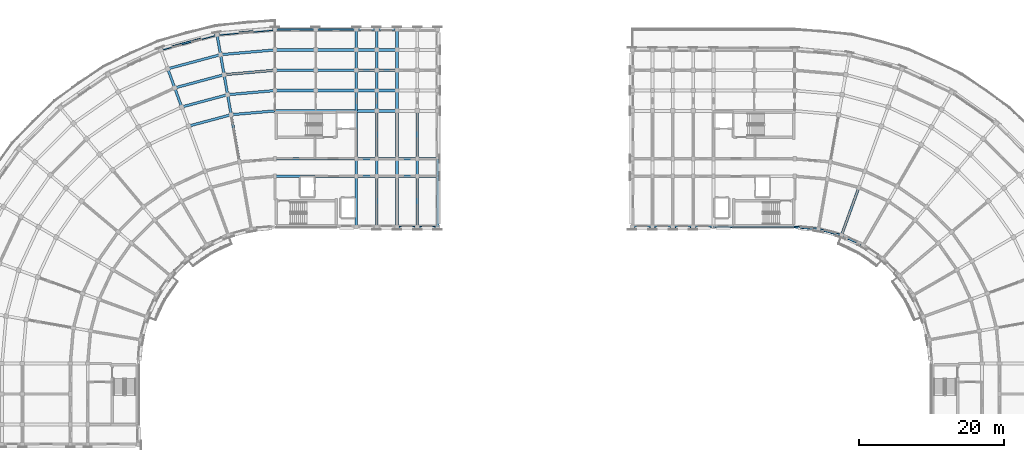
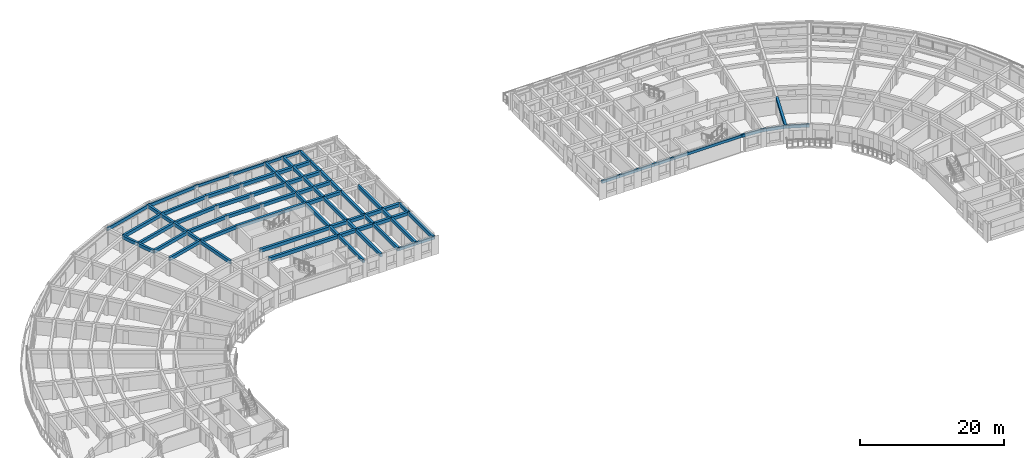
# One storey, part 7 of 53: 83 beams.
"""IFC4 building model written with IfcOpenShell, lengths in metres."""

from ifc_helpers import new_model, si_unit, direction, frame, origin, origin_2d, place, context, subcontext, project, spatial, rectangle, extrude, material, material_profile, profile_set, type_object, element, save


model = new_model("IFC4")

# Units and contexts
model_context = context("Model", 3, precision=1e-05, world=origin(), true_north=direction((0.0, 1.0)))
body_context = subcontext(model_context, "Body", "Model", "MODEL_VIEW")
ifc_project = project(units=[si_unit("LENGTHUNIT", "METRE"), si_unit("AREAUNIT", "SQUARE_METRE"), si_unit("VOLUMEUNIT", "CUBIC_METRE"), si_unit("PLANEANGLEUNIT", "RADIAN"), si_unit("MASSUNIT", "GRAM", prefix="KILO")], contexts=[model_context])

# Site, building, storey
site_placement = place(None, origin())
site = spatial("IfcSite", under=ifc_project, at=site_placement, CompositionType="ELEMENT")
building_placement = place(site_placement, origin())
building = spatial("IfcBuilding", under=site, at=building_placement, Name="Kiranvali Square Residences", CompositionType="ELEMENT")
storey_placement = place(building_placement, frame((0.0, 0.0, 30.75)))
storey = spatial("IfcBuildingStorey", under=building, at=storey_placement, Name="L09", CompositionType="ELEMENT", Elevation=30.75)

# Beams
ifc_material_1 = material(Name="Concrete M40 (40 MPa)", Category="concrete")
ifc_material_profile_1 = material_profile(ifc_material_1, rectangle(XDim=0.35009765625, YDim=0.550048828125, at=origin_2d()), Name="RC 350x550")
ifc_profile_set_1 = profile_set([ifc_material_profile_1], Name="Concrete M40 (40 MPa)")
beam_type_1 = type_object("IfcBeamType", Name="BM-M40-350x550", PredefinedType="BEAM", material=ifc_profile_set_1)
beam_1_placement = place(storey_placement, frame((48.199951171875, 122.60009765625, 2.655029296875), z_axis=(-0.996193018494, -0.087174938512, 0.0), x_axis=(0.087174938512, -0.996193018494, 0.0)))
element("IfcBeam", 1, at=beam_1_placement, inside=storey, type_object=beam_type_1, Name="L09 beam BM-A-L09-C00-R3", PredefinedType="BEAM", context=body_context, shape_type="SweptSolid", body=[
    extrude(rectangle(XDim=0.35009765625, YDim=0.550048828125, at=origin_2d()), origin(), (0.0, 0.0, 1.0), 6.066162109375),
])
beam_2_placement = place(storey_placement, frame((48.199951171875, 125.39990234375, 2.655029296875), z_axis=(-0.996196991902, -0.0871295204, 0.0), x_axis=(0.0871295204, -0.996196991902, 0.0)))
element("IfcBeam", 2, at=beam_2_placement, inside=storey, type_object=beam_type_1, Name="L09 beam BM-A-L09-C00-R4", PredefinedType="BEAM", context=body_context, shape_type="SweptSolid", body=[
    extrude(rectangle(XDim=0.35009765625, YDim=0.550048828125, at=origin_2d()), origin(), (0.0, 0.0, 1.0), 6.553955078125),
])
beam_3_placement = place(storey_placement, frame((48.199951171875, 128.199951171875, 2.655029296875), z_axis=(-0.996194658198, -0.087156198737, 0.0), x_axis=(0.087156198737, -0.996194658198, 0.0)))
element("IfcBeam", 3, at=beam_3_placement, inside=storey, type_object=beam_type_1, Name="L09 beam BM-A-L09-C00-R5", PredefinedType="BEAM", context=body_context, shape_type="SweptSolid", body=[
    extrude(rectangle(XDim=0.35009765625, YDim=0.550048828125, at=origin_2d()), origin(), (0.0, 0.0, 1.0), 7.042236328125),
])
beam_4_placement = place(storey_placement, frame((48.199951171875, 131.0, 2.655029296875), z_axis=(-0.996195195417, -0.087150058103, 0.0), x_axis=(0.087150058103, -0.996195195417, 0.0)))
element("IfcBeam", 4, at=beam_4_placement, inside=storey, type_object=beam_type_1, Name="L09 beam BM-A-L09-C00-R6", PredefinedType="BEAM", context=body_context, shape_type="SweptSolid", body=[
    extrude(rectangle(XDim=0.35009765625, YDim=0.550048828125, at=origin_2d()), origin(), (0.0, 0.0, 1.0), 7.530029296875),
])
beam_5_placement = place(storey_placement, frame((42.156982421875, 122.0712890625, 2.655029296875), z_axis=(-0.965923618901, -0.258827283048, 0.0), x_axis=(0.258827283048, -0.965923618901, 0.0)))
element("IfcBeam", 5, at=beam_5_placement, inside=storey, type_object=beam_type_1, Name="L09 beam BM-A-L09-C01-R3", PredefinedType="BEAM", context=body_context, shape_type="SweptSolid", body=[
    extrude(rectangle(XDim=0.35009765625, YDim=0.550048828125, at=origin_2d()), origin(), (0.0, 0.0, 1.0), 6.066162109375),
])
beam_6_placement = place(storey_placement, frame((41.6708984375, 124.828857421875, 2.655029296875), z_axis=(-0.965918287583, -0.258847178297, 0.0), x_axis=(0.258847178297, -0.965918287583, 0.0)))
element("IfcBeam", 6, at=beam_6_placement, inside=storey, type_object=beam_type_1, Name="L09 beam BM-A-L09-C01-R4", PredefinedType="BEAM", context=body_context, shape_type="SweptSolid", body=[
    extrude(rectangle(XDim=0.35009765625, YDim=0.550048828125, at=origin_2d()), origin(), (0.0, 0.0, 1.0), 6.55419921875),
])
beam_7_placement = place(storey_placement, frame((41.1845703125, 127.586181640625, 2.655029296875), z_axis=(-0.965931029817, -0.258799624492, 0.0), x_axis=(0.258799624492, -0.965931029817, 0.0)))
element("IfcBeam", 7, at=beam_7_placement, inside=storey, type_object=beam_type_1, Name="L09 beam BM-A-L09-C01-R5", PredefinedType="BEAM", context=body_context, shape_type="SweptSolid", body=[
    extrude(rectangle(XDim=0.35009765625, YDim=0.550048828125, at=origin_2d()), origin(), (0.0, 0.0, 1.0), 7.042236328125),
])
beam_8_placement = place(storey_placement, frame((40.698486328125, 130.34375, 2.655029296875), z_axis=(-0.965925909693, -0.258818733833, 0.0), x_axis=(0.258818733833, -0.965925909693, 0.0)))
element("IfcBeam", 8, at=beam_8_placement, inside=storey, type_object=beam_type_1, Name="L09 beam BM-A-L09-C01-R6", PredefinedType="BEAM", context=body_context, shape_type="SweptSolid", body=[
    extrude(rectangle(XDim=0.35009765625, YDim=0.550048828125, at=origin_2d()), origin(), (0.0, 0.0, 1.0), 7.5302734375),
])
beam_9_placement = place(storey_placement, frame((43.30322265625, 115.571533203125, 2.655029296875), z_axis=(-0.173671381499, 0.984803661269, 0.0), x_axis=(-0.984803661269, -0.173671381499, 0.0)))
element("IfcBeam", 9, at=beam_9_placement, inside=storey, type_object=beam_type_1, Name="L09 beam BM-A-L09-RAD01-23", PredefinedType="BEAM", context=body_context, shape_type="SweptSolid", body=[
    extrude(rectangle(XDim=0.35009765625, YDim=0.550048828125, at=origin_2d()), origin(), (0.0, 0.0, 1.0), 6.60009765625),
])
beam_10_placement = place(storey_placement, frame((42.156982421875, 122.0712890625, 2.655029296875), z_axis=(-0.173596320392, 0.984816895441, 0.0), x_axis=(-0.984816895441, -0.173596320392, 0.0)))
element("IfcBeam", 10, at=beam_10_placement, inside=storey, type_object=beam_type_1, Name="L09 beam BM-A-L09-RAD01-34", PredefinedType="BEAM", context=body_context, shape_type="SweptSolid", body=[
    extrude(rectangle(XDim=0.35009765625, YDim=0.550048828125, at=origin_2d()), origin(), (0.0, 0.0, 1.0), 2.800048828125),
])
beam_11_placement = place(storey_placement, frame((41.6708984375, 124.828857421875, 2.655029296875), z_axis=(-0.173695795656, 0.984799355489, 0.0), x_axis=(-0.984799355489, -0.173695795656, 0.0)))
element("IfcBeam", 11, at=beam_11_placement, inside=storey, type_object=beam_type_1, Name="L09 beam BM-A-L09-RAD01-45", PredefinedType="BEAM", context=body_context, shape_type="SweptSolid", body=[
    extrude(rectangle(XDim=0.35009765625, YDim=0.550048828125, at=origin_2d()), origin(), (0.0, 0.0, 1.0), 2.7998046875),
])
beam_12_placement = place(storey_placement, frame((41.1845703125, 127.586181640625, 2.655029296875), z_axis=(-0.173596320392, 0.984816895441, 0.0), x_axis=(-0.984816895441, -0.173596320392, 0.0)))
element("IfcBeam", 12, at=beam_12_placement, inside=storey, type_object=beam_type_1, Name="L09 beam BM-A-L09-RAD01-56", PredefinedType="BEAM", context=body_context, shape_type="SweptSolid", body=[
    extrude(rectangle(XDim=0.35009765625, YDim=0.550048828125, at=origin_2d()), origin(), (0.0, 0.0, 1.0), 2.800048828125),
])
beam_13_placement = place(storey_placement, frame((40.698486328125, 130.34375, 2.655029296875), z_axis=(-0.173695795656, 0.984799355489, 0.0), x_axis=(-0.984799355489, -0.173695795656, 0.0)))
element("IfcBeam", 13, at=beam_13_placement, inside=storey, type_object=beam_type_1, Name="L09 beam BM-A-L09-RAD01-67", PredefinedType="BEAM", context=body_context, shape_type="SweptSolid", body=[
    extrude(rectangle(XDim=0.35009765625, YDim=0.550048828125, at=origin_2d()), origin(), (0.0, 0.0, 1.0), 2.7998046875),
])
beam_14_placement = place(storey_placement, frame((35.340087890625, 123.13232421875, 2.655029296875), z_axis=(-0.342030060398, 0.939689011208, 0.0), x_axis=(-0.939689011208, -0.342030060398, 0.0)))
element("IfcBeam", 14, at=beam_14_placement, inside=storey, type_object=beam_type_1, Name="L09 beam BM-A-L09-RAD02-45", PredefinedType="BEAM", context=body_context, shape_type="SweptSolid", body=[
    extrude(rectangle(XDim=0.35009765625, YDim=0.550048828125, at=origin_2d()), origin(), (0.0, 0.0, 1.0), 2.80029296875),
])
beam_15_placement = place(storey_placement, frame((34.38232421875, 125.763671875, 2.655029296875), z_axis=(-0.341981089711, 0.93970683422, 0.0), x_axis=(-0.93970683422, -0.341981089711, 0.0)))
element("IfcBeam", 15, at=beam_15_placement, inside=storey, type_object=beam_type_1, Name="L09 beam BM-A-L09-RAD02-56", PredefinedType="BEAM", context=body_context, shape_type="SweptSolid", body=[
    extrude(rectangle(XDim=0.35009765625, YDim=0.550048828125, at=origin_2d()), origin(), (0.0, 0.0, 1.0), 2.7998046875),
])
beam_16_placement = place(storey_placement, frame((59.39990234375, 106.60009765625, 2.655029296875), z_axis=(0.0, 1.0, 0.0), x_axis=(-1.0, 0.0, 0.0)))
element("IfcBeam", 16, at=beam_16_placement, inside=storey, type_object=beam_type_1, Name="L09 beam BM-A-L09-A1T1-01", PredefinedType="BEAM", context=body_context, shape_type="SweptSolid", body=[
    extrude(rectangle(XDim=0.35009765625, YDim=0.550048828125, at=origin_2d()), origin(), (0.0, 0.0, 1.0), 7.0),
])
beam_17_placement = place(storey_placement, frame((59.39990234375, 113.60009765625, 2.655029296875), z_axis=(0.0, 1.0, 0.0), x_axis=(-1.0, 0.0, 0.0)))
element("IfcBeam", 17, at=beam_17_placement, inside=storey, type_object=beam_type_1, Name="L09 beam BM-A-L09-A1T1-12", PredefinedType="BEAM", context=body_context, shape_type="SweptSolid", body=[
    extrude(rectangle(XDim=0.35009765625, YDim=0.550048828125, at=origin_2d()), origin(), (0.0, 0.0, 1.0), 2.39990234375),
])
beam_18_placement = place(storey_placement, frame((59.39990234375, 116.0, 2.655029296875), z_axis=(0.0, 1.0, 0.0), x_axis=(-1.0, 0.0, 0.0)))
element("IfcBeam", 18, at=beam_18_placement, inside=storey, type_object=beam_type_1, Name="L09 beam BM-A-L09-A1T1-23", PredefinedType="BEAM", context=body_context, shape_type="SweptSolid", body=[
    extrude(rectangle(XDim=0.35009765625, YDim=0.550048828125, at=origin_2d()), origin(), (0.0, 0.0, 1.0), 6.60009765625),
])
beam_19_placement = place(storey_placement, frame((59.39990234375, 122.60009765625, 2.655029296875), z_axis=(0.0, 1.0, 0.0), x_axis=(-1.0, 0.0, 0.0)))
element("IfcBeam", 19, at=beam_19_placement, inside=storey, type_object=beam_type_1, Name="L09 beam BM-A-L09-A1T1-34", PredefinedType="BEAM", context=body_context, shape_type="SweptSolid", body=[
    extrude(rectangle(XDim=0.35009765625, YDim=0.550048828125, at=origin_2d()), origin(), (0.0, 0.0, 1.0), 2.7998046875),
])
for number, where, z_axis, x_axis, name in (
    (20, (59.39990234375, 125.39990234375, 2.655029296875), (0.0, 1.0, 0.0), (-1.0, 0.0, 0.0), "L09 beam BM-A-L09-A1T1-45"),
    (21, (59.39990234375, 128.199951171875, 2.655029296875), (0.0, 1.0, 0.0), (-1.0, 0.0, 0.0), "L09 beam BM-A-L09-A1T1-56"),
    (22, (59.39990234375, 131.0, 2.655029296875), (0.0, 1.0, 0.0), (-1.0, 0.0, 0.0), "L09 beam BM-A-L09-A1T1-67"),
):
    element("IfcBeam", number, at=place(storey_placement, frame(where, z_axis=z_axis, x_axis=x_axis)), inside=storey, type_object=beam_type_1, Name=name, PredefinedType="BEAM", context=body_context, shape_type="SweptSolid", body=[
        extrude(rectangle(XDim=0.35009765625, YDim=0.550048828125, at=origin_2d()), origin(), (0.0, 0.0, 1.0), 2.800048828125),
    ])
beam_20_placement = place(storey_placement, frame((62.199951171875, 106.60009765625, 2.655029296875), z_axis=(0.0, 1.0, 0.0), x_axis=(-1.0, 0.0, 0.0)))
element("IfcBeam", 23, at=beam_20_placement, inside=storey, type_object=beam_type_1, Name="L09 beam BM-A-L09-A1T2-01", PredefinedType="BEAM", context=body_context, shape_type="SweptSolid", body=[
    extrude(rectangle(XDim=0.35009765625, YDim=0.550048828125, at=origin_2d()), origin(), (0.0, 0.0, 1.0), 7.0),
])
beam_21_placement = place(storey_placement, frame((62.199951171875, 113.60009765625, 2.655029296875), z_axis=(0.0, 1.0, 0.0), x_axis=(-1.0, 0.0, 0.0)))
element("IfcBeam", 24, at=beam_21_placement, inside=storey, type_object=beam_type_1, Name="L09 beam BM-A-L09-A1T2-12", PredefinedType="BEAM", context=body_context, shape_type="SweptSolid", body=[
    extrude(rectangle(XDim=0.35009765625, YDim=0.550048828125, at=origin_2d()), origin(), (0.0, 0.0, 1.0), 2.39990234375),
])
beam_22_placement = place(storey_placement, frame((62.199951171875, 116.0, 2.655029296875), z_axis=(0.0, 1.0, 0.0), x_axis=(-1.0, 0.0, 0.0)))
element("IfcBeam", 25, at=beam_22_placement, inside=storey, type_object=beam_type_1, Name="L09 beam BM-A-L09-A1T2-23", PredefinedType="BEAM", context=body_context, shape_type="SweptSolid", body=[
    extrude(rectangle(XDim=0.35009765625, YDim=0.550048828125, at=origin_2d()), origin(), (0.0, 0.0, 1.0), 6.60009765625),
])
beam_23_placement = place(storey_placement, frame((62.199951171875, 122.60009765625, 2.655029296875), z_axis=(0.0, 1.0, 0.0), x_axis=(-1.0, 0.0, 0.0)))
element("IfcBeam", 26, at=beam_23_placement, inside=storey, type_object=beam_type_1, Name="L09 beam BM-A-L09-A1T2-34", PredefinedType="BEAM", context=body_context, shape_type="SweptSolid", body=[
    extrude(rectangle(XDim=0.35009765625, YDim=0.550048828125, at=origin_2d()), origin(), (0.0, 0.0, 1.0), 2.7998046875),
])
for number, where, z_axis, x_axis, name in (
    (27, (62.199951171875, 125.39990234375, 2.655029296875), (0.0, 1.0, 0.0), (-1.0, 0.0, 0.0), "L09 beam BM-A-L09-A1T2-45"),
    (28, (62.199951171875, 128.199951171875, 2.655029296875), (0.0, 1.0, 0.0), (-1.0, 0.0, 0.0), "L09 beam BM-A-L09-A1T2-56"),
    (29, (62.199951171875, 131.0, 2.655029296875), (0.0, 1.0, 0.0), (-1.0, 0.0, 0.0), "L09 beam BM-A-L09-A1T2-67"),
):
    element("IfcBeam", number, at=place(storey_placement, frame(where, z_axis=z_axis, x_axis=x_axis)), inside=storey, type_object=beam_type_1, Name=name, PredefinedType="BEAM", context=body_context, shape_type="SweptSolid", body=[
        extrude(rectangle(XDim=0.35009765625, YDim=0.550048828125, at=origin_2d()), origin(), (0.0, 0.0, 1.0), 2.800048828125),
    ])
beam_24_placement = place(storey_placement, frame((65.0, 106.60009765625, 2.655029296875), z_axis=(0.0, 1.0, 0.0), x_axis=(-1.0, 0.0, 0.0)))
element("IfcBeam", 30, at=beam_24_placement, inside=storey, type_object=beam_type_1, Name="L09 beam BM-A-L09-A1T3-01", PredefinedType="BEAM", context=body_context, shape_type="SweptSolid", body=[
    extrude(rectangle(XDim=0.35009765625, YDim=0.550048828125, at=origin_2d()), origin(), (0.0, 0.0, 1.0), 7.0),
])
beam_25_placement = place(storey_placement, frame((65.0, 113.60009765625, 2.655029296875), z_axis=(0.0, 1.0, 0.0), x_axis=(-1.0, 0.0, 0.0)))
element("IfcBeam", 31, at=beam_25_placement, inside=storey, type_object=beam_type_1, Name="L09 beam BM-A-L09-A1T3-12", PredefinedType="BEAM", context=body_context, shape_type="SweptSolid", body=[
    extrude(rectangle(XDim=0.35009765625, YDim=0.550048828125, at=origin_2d()), origin(), (0.0, 0.0, 1.0), 2.39990234375),
])
beam_26_placement = place(storey_placement, frame((65.0, 116.0, 2.655029296875), z_axis=(0.0, 1.0, 0.0), x_axis=(-1.0, 0.0, 0.0)))
element("IfcBeam", 32, at=beam_26_placement, inside=storey, type_object=beam_type_1, Name="L09 beam BM-A-L09-A1T3-23", PredefinedType="BEAM", context=body_context, shape_type="SweptSolid", body=[
    extrude(rectangle(XDim=0.35009765625, YDim=0.550048828125, at=origin_2d()), origin(), (0.0, 0.0, 1.0), 6.60009765625),
])
beam_27_placement = place(storey_placement, frame((65.0, 122.60009765625, 2.655029296875), z_axis=(0.0, 1.0, 0.0), x_axis=(-1.0, 0.0, 0.0)))
element("IfcBeam", 33, at=beam_27_placement, inside=storey, type_object=beam_type_1, Name="L09 beam BM-A-L09-A1T3-34", PredefinedType="BEAM", context=body_context, shape_type="SweptSolid", body=[
    extrude(rectangle(XDim=0.35009765625, YDim=0.550048828125, at=origin_2d()), origin(), (0.0, 0.0, 1.0), 2.7998046875),
])
for number, where, z_axis, x_axis, name in (
    (34, (65.0, 125.39990234375, 2.655029296875), (0.0, 1.0, 0.0), (-1.0, 0.0, 0.0), "L09 beam BM-A-L09-A1T3-45"),
    (35, (65.0, 128.199951171875, 2.655029296875), (0.0, 1.0, 0.0), (-1.0, 0.0, 0.0), "L09 beam BM-A-L09-A1T3-56"),
    (36, (65.0, 131.0, 2.655029296875), (0.0, 1.0, 0.0), (-1.0, 0.0, 0.0), "L09 beam BM-A-L09-A1T3-67"),
):
    element("IfcBeam", number, at=place(storey_placement, frame(where, z_axis=z_axis, x_axis=x_axis)), inside=storey, type_object=beam_type_1, Name=name, PredefinedType="BEAM", context=body_context, shape_type="SweptSolid", body=[
        extrude(rectangle(XDim=0.35009765625, YDim=0.550048828125, at=origin_2d()), origin(), (0.0, 0.0, 1.0), 2.800048828125),
    ])
beam_28_placement = place(storey_placement, frame((67.800048828125, 106.60009765625, 2.655029296875), z_axis=(0.0, 1.0, 0.0), x_axis=(-1.0, 0.0, 0.0)))
element("IfcBeam", 37, at=beam_28_placement, inside=storey, type_object=beam_type_1, Name="L09 beam BM-A-L09-A1T4-01", PredefinedType="BEAM", context=body_context, shape_type="SweptSolid", body=[
    extrude(rectangle(XDim=0.35009765625, YDim=0.550048828125, at=origin_2d()), origin(), (0.0, 0.0, 1.0), 7.0),
])
beam_29_placement = place(storey_placement, frame((67.800048828125, 113.60009765625, 2.655029296875), z_axis=(0.0, 1.0, 0.0), x_axis=(-1.0, 0.0, 0.0)))
element("IfcBeam", 38, at=beam_29_placement, inside=storey, type_object=beam_type_1, Name="L09 beam BM-A-L09-A1T4-12", PredefinedType="BEAM", context=body_context, shape_type="SweptSolid", body=[
    extrude(rectangle(XDim=0.35009765625, YDim=0.550048828125, at=origin_2d()), origin(), (0.0, 0.0, 1.0), 2.39990234375),
])
beam_30_placement = place(storey_placement, frame((67.800048828125, 116.0, 2.655029296875), z_axis=(0.0, 1.0, 0.0), x_axis=(-1.0, 0.0, 0.0)))
element("IfcBeam", 39, at=beam_30_placement, inside=storey, type_object=beam_type_1, Name="L09 beam BM-A-L09-A1T4-23", PredefinedType="BEAM", context=body_context, shape_type="SweptSolid", body=[
    extrude(rectangle(XDim=0.35009765625, YDim=0.550048828125, at=origin_2d()), origin(), (0.0, 0.0, 1.0), 6.60009765625),
])
beam_31_placement = place(storey_placement, frame((70.60009765625, 106.60009765625, 2.655029296875), z_axis=(0.0, 1.0, 0.0), x_axis=(-1.0, 0.0, 0.0)))
element("IfcBeam", 40, at=beam_31_placement, inside=storey, type_object=beam_type_1, Name="L09 beam BM-A-L09-A1T5-01", PredefinedType="BEAM", context=body_context, shape_type="SweptSolid", body=[
    extrude(rectangle(XDim=0.35009765625, YDim=0.550048828125, at=origin_2d()), origin(), (0.0, 0.0, 1.0), 7.0),
])
beam_32_placement = place(storey_placement, frame((70.60009765625, 113.60009765625, 2.655029296875), z_axis=(0.0, 1.0, 0.0), x_axis=(-1.0, 0.0, 0.0)))
element("IfcBeam", 41, at=beam_32_placement, inside=storey, type_object=beam_type_1, Name="L09 beam BM-A-L09-A1T5-12", PredefinedType="BEAM", context=body_context, shape_type="SweptSolid", body=[
    extrude(rectangle(XDim=0.35009765625, YDim=0.550048828125, at=origin_2d()), origin(), (0.0, 0.0, 1.0), 2.39990234375),
])
beam_33_placement = place(storey_placement, frame((126.22998046875, 105.46630859375, 2.655029296875), z_axis=(0.342006283793, 0.939697665127, 0.0), x_axis=(-0.939697665127, 0.342006283793, 0.0)))
element("IfcBeam", 42, at=beam_33_placement, inside=storey, type_object=beam_type_1, Name="L09 beam BM-B-L09-RAD02-01", PredefinedType="BEAM", context=body_context, shape_type="SweptSolid", body=[
    extrude(rectangle(XDim=0.35009765625, YDim=0.550048828125, at=origin_2d()), origin(), (0.0, 0.0, 1.0), 7.0),
])
ifc_material_2 = material(Name="Concrete M45 (45 MPa)", Category="concrete")
ifc_material_profile_2 = material_profile(ifc_material_2, rectangle(XDim=0.39990234375, YDim=0.550048828125, at=origin_2d()), Name="RC 400x550")
ifc_profile_set_2 = profile_set([ifc_material_profile_2], Name="Concrete M45 (45 MPa)")
beam_type_2 = type_object("IfcBeamType", Name="BM-M45-400x550", PredefinedType="BEAM", material=ifc_profile_set_2)
beam_34_placement = place(storey_placement, frame((48.199951171875, 113.60009765625, 2.655029296875), z_axis=(1.0, 0.0, 0.0), x_axis=(0.0, 1.0, 0.0)))
element("IfcBeam", 43, at=beam_34_placement, inside=storey, type_object=beam_type_2, Name="L09 beam BM-A-L09-A1U0-R1", PredefinedType="BEAM", context=body_context, shape_type="SweptSolid", body=[
    extrude(rectangle(XDim=0.39990234375, YDim=0.550048828125, at=origin_2d()), origin(), (0.0, 0.0, 1.0), 11.199951171875),
])
for number, where, z_axis, x_axis, name in (
    (44, (59.39990234375, 113.60009765625, 2.655029296875), (1.0, 0.0, 0.0), (0.0, 1.0, 0.0), "L09 beam BM-A-L09-A1U1-R1"),
    (45, (62.199951171875, 113.60009765625, 2.655029296875), (1.0, 0.0, 0.0), (0.0, 1.0, 0.0), "L09 beam BM-A-L09-A1U2-R1"),
    (46, (65.0, 113.60009765625, 2.655029296875), (1.0, 0.0, 0.0), (0.0, 1.0, 0.0), "L09 beam BM-A-L09-A1U3-R1"),
    (47, (67.800048828125, 113.60009765625, 2.655029296875), (1.0, 0.0, 0.0), (0.0, 1.0, 0.0), "L09 beam BM-A-L09-A1U4-R1"),
):
    element("IfcBeam", number, at=place(storey_placement, frame(where, z_axis=z_axis, x_axis=x_axis)), inside=storey, type_object=beam_type_2, Name=name, PredefinedType="BEAM", context=body_context, shape_type="SweptSolid", body=[
        extrude(rectangle(XDim=0.39990234375, YDim=0.550048828125, at=origin_2d()), origin(), (0.0, 0.0, 1.0), 2.800048828125),
    ])
beam_35_placement = place(storey_placement, frame((48.199951171875, 116.0, 2.655029296875), z_axis=(1.0, 0.0, 0.0), x_axis=(0.0, 1.0, 0.0)))
element("IfcBeam", 48, at=beam_35_placement, inside=storey, type_object=beam_type_2, Name="L09 beam BM-A-L09-A1U0-R2", PredefinedType="BEAM", context=body_context, shape_type="SweptSolid", body=[
    extrude(rectangle(XDim=0.39990234375, YDim=0.550048828125, at=origin_2d()), origin(), (0.0, 0.0, 1.0), 11.199951171875),
])
for number, where, z_axis, x_axis, name in (
    (49, (59.39990234375, 116.0, 2.655029296875), (1.0, 0.0, 0.0), (0.0, 1.0, 0.0), "L09 beam BM-A-L09-A1U1-R2"),
    (50, (62.199951171875, 116.0, 2.655029296875), (1.0, 0.0, 0.0), (0.0, 1.0, 0.0), "L09 beam BM-A-L09-A1U2-R2"),
    (51, (65.0, 116.0, 2.655029296875), (1.0, 0.0, 0.0), (0.0, 1.0, 0.0), "L09 beam BM-A-L09-A1U3-R2"),
    (52, (67.800048828125, 116.0, 2.655029296875), (1.0, 0.0, 0.0), (0.0, 1.0, 0.0), "L09 beam BM-A-L09-A1U4-R2"),
):
    element("IfcBeam", number, at=place(storey_placement, frame(where, z_axis=z_axis, x_axis=x_axis)), inside=storey, type_object=beam_type_2, Name=name, PredefinedType="BEAM", context=body_context, shape_type="SweptSolid", body=[
        extrude(rectangle(XDim=0.39990234375, YDim=0.550048828125, at=origin_2d()), origin(), (0.0, 0.0, 1.0), 2.800048828125),
    ])
beam_36_placement = place(storey_placement, frame((48.199951171875, 122.60009765625, 2.655029296875), z_axis=(1.0, 0.0, 0.0), x_axis=(0.0, 1.0, 0.0)))
element("IfcBeam", 53, at=beam_36_placement, inside=storey, type_object=beam_type_2, Name="L09 beam BM-A-L09-A1U0-R3", PredefinedType="BEAM", context=body_context, shape_type="SweptSolid", body=[
    extrude(rectangle(XDim=0.39990234375, YDim=0.550048828125, at=origin_2d()), origin(), (0.0, 0.0, 1.0), 11.199951171875),
])
for number, where, z_axis, x_axis, name in (
    (54, (59.39990234375, 122.60009765625, 2.655029296875), (1.0, 0.0, 0.0), (0.0, 1.0, 0.0), "L09 beam BM-A-L09-A1U1-R3"),
    (55, (62.199951171875, 122.60009765625, 2.655029296875), (1.0, 0.0, 0.0), (0.0, 1.0, 0.0), "L09 beam BM-A-L09-A1U2-R3"),
):
    element("IfcBeam", number, at=place(storey_placement, frame(where, z_axis=z_axis, x_axis=x_axis)), inside=storey, type_object=beam_type_2, Name=name, PredefinedType="BEAM", context=body_context, shape_type="SweptSolid", body=[
        extrude(rectangle(XDim=0.39990234375, YDim=0.550048828125, at=origin_2d()), origin(), (0.0, 0.0, 1.0), 2.800048828125),
    ])
beam_37_placement = place(storey_placement, frame((48.199951171875, 125.39990234375, 2.655029296875), z_axis=(1.0, 0.0, 0.0), x_axis=(0.0, 1.0, 0.0)))
element("IfcBeam", 56, at=beam_37_placement, inside=storey, type_object=beam_type_2, Name="L09 beam BM-A-L09-A1U0-R4", PredefinedType="BEAM", context=body_context, shape_type="SweptSolid", body=[
    extrude(rectangle(XDim=0.39990234375, YDim=0.550048828125, at=origin_2d()), origin(), (0.0, 0.0, 1.0), 5.60009765625),
])
beam_38_placement = place(storey_placement, frame((53.800048828125, 125.39990234375, 2.655029296875), z_axis=(1.0, 0.0, 0.0), x_axis=(0.0, 1.0, 0.0)))
element("IfcBeam", 57, at=beam_38_placement, inside=storey, type_object=beam_type_2, Name="L09 beam BM-A-L09-A1U1-R4", PredefinedType="BEAM", context=body_context, shape_type="SweptSolid", body=[
    extrude(rectangle(XDim=0.39990234375, YDim=0.550048828125, at=origin_2d()), origin(), (0.0, 0.0, 1.0), 5.599853515625),
])
for number, where, z_axis, x_axis, name in (
    (58, (59.39990234375, 125.39990234375, 2.655029296875), (1.0, 0.0, 0.0), (0.0, 1.0, 0.0), "L09 beam BM-A-L09-A1U2-R4"),
    (59, (62.199951171875, 125.39990234375, 2.655029296875), (1.0, 0.0, 0.0), (0.0, 1.0, 0.0), "L09 beam BM-A-L09-A1U3-R4"),
):
    element("IfcBeam", number, at=place(storey_placement, frame(where, z_axis=z_axis, x_axis=x_axis)), inside=storey, type_object=beam_type_2, Name=name, PredefinedType="BEAM", context=body_context, shape_type="SweptSolid", body=[
        extrude(rectangle(XDim=0.39990234375, YDim=0.550048828125, at=origin_2d()), origin(), (0.0, 0.0, 1.0), 2.800048828125),
    ])
beam_39_placement = place(storey_placement, frame((48.199951171875, 128.199951171875, 2.655029296875), z_axis=(1.0, 0.0, 0.0), x_axis=(0.0, 1.0, 0.0)))
element("IfcBeam", 60, at=beam_39_placement, inside=storey, type_object=beam_type_2, Name="L09 beam BM-A-L09-A1U0-R5", PredefinedType="BEAM", context=body_context, shape_type="SweptSolid", body=[
    extrude(rectangle(XDim=0.39990234375, YDim=0.550048828125, at=origin_2d()), origin(), (0.0, 0.0, 1.0), 5.60009765625),
])
beam_40_placement = place(storey_placement, frame((53.800048828125, 128.199951171875, 2.655029296875), z_axis=(1.0, 0.0, 0.0), x_axis=(0.0, 1.0, 0.0)))
element("IfcBeam", 61, at=beam_40_placement, inside=storey, type_object=beam_type_2, Name="L09 beam BM-A-L09-A1U1-R5", PredefinedType="BEAM", context=body_context, shape_type="SweptSolid", body=[
    extrude(rectangle(XDim=0.39990234375, YDim=0.550048828125, at=origin_2d()), origin(), (0.0, 0.0, 1.0), 5.599853515625),
])
for number, where, z_axis, x_axis, name in (
    (62, (59.39990234375, 128.199951171875, 2.655029296875), (1.0, 0.0, 0.0), (0.0, 1.0, 0.0), "L09 beam BM-A-L09-A1U2-R5"),
    (63, (62.199951171875, 128.199951171875, 2.655029296875), (1.0, 0.0, 0.0), (0.0, 1.0, 0.0), "L09 beam BM-A-L09-A1U3-R5"),
):
    element("IfcBeam", number, at=place(storey_placement, frame(where, z_axis=z_axis, x_axis=x_axis)), inside=storey, type_object=beam_type_2, Name=name, PredefinedType="BEAM", context=body_context, shape_type="SweptSolid", body=[
        extrude(rectangle(XDim=0.39990234375, YDim=0.550048828125, at=origin_2d()), origin(), (0.0, 0.0, 1.0), 2.800048828125),
    ])
beam_41_placement = place(storey_placement, frame((48.199951171875, 131.0, 2.655029296875), z_axis=(1.0, 0.0, 0.0), x_axis=(0.0, 1.0, 0.0)))
element("IfcBeam", 64, at=beam_41_placement, inside=storey, type_object=beam_type_2, Name="L09 beam BM-A-L09-A1U0-R6", PredefinedType="BEAM", context=body_context, shape_type="SweptSolid", body=[
    extrude(rectangle(XDim=0.39990234375, YDim=0.550048828125, at=origin_2d()), origin(), (0.0, 0.0, 1.0), 5.60009765625),
])
beam_42_placement = place(storey_placement, frame((53.800048828125, 131.0, 2.655029296875), z_axis=(1.0, 0.0, 0.0), x_axis=(0.0, 1.0, 0.0)))
element("IfcBeam", 65, at=beam_42_placement, inside=storey, type_object=beam_type_2, Name="L09 beam BM-A-L09-A1U1-R6", PredefinedType="BEAM", context=body_context, shape_type="SweptSolid", body=[
    extrude(rectangle(XDim=0.39990234375, YDim=0.550048828125, at=origin_2d()), origin(), (0.0, 0.0, 1.0), 5.599853515625),
])
for number, where, z_axis, x_axis, name in (
    (66, (59.39990234375, 131.0, 2.655029296875), (1.0, 0.0, 0.0), (0.0, 1.0, 0.0), "L09 beam BM-A-L09-A1U2-R6"),
    (67, (62.199951171875, 131.0, 2.655029296875), (1.0, 0.0, 0.0), (0.0, 1.0, 0.0), "L09 beam BM-A-L09-A1U3-R6"),
):
    element("IfcBeam", number, at=place(storey_placement, frame(where, z_axis=z_axis, x_axis=x_axis)), inside=storey, type_object=beam_type_2, Name=name, PredefinedType="BEAM", context=body_context, shape_type="SweptSolid", body=[
        extrude(rectangle(XDim=0.39990234375, YDim=0.550048828125, at=origin_2d()), origin(), (0.0, 0.0, 1.0), 2.800048828125),
    ])
ifc_material_profile_3 = material_profile(ifc_material_1, rectangle(XDim=0.25, YDim=0.449951171875, at=origin_2d()), Name="RC 250x450")
ifc_profile_set_3 = profile_set([ifc_material_profile_3], Name="Concrete M40 (40 MPa)")
beam_type_3 = type_object("IfcBeamType", Name="SPN-M40-250x450", PredefinedType="SPANDREL", material=ifc_profile_set_3)
for number, where, z_axis, x_axis, name in (
    (68, (65.0, 106.60009765625, 2.705078125), (1.0, 0.0, 0.0), (0.0, 1.0, 0.0), "L09 beam BM-A-L09-A1U3-R0"),
    (69, (67.800048828125, 106.60009765625, 2.705078125), (1.0, 0.0, 0.0), (0.0, 1.0, 0.0), "L09 beam BM-A-L09-A1U4-R0"),
):
    element("IfcBeam", number, at=place(storey_placement, frame(where, z_axis=z_axis, x_axis=x_axis)), inside=storey, type_object=beam_type_3, Name=name, PredefinedType="SPANDREL", context=body_context, shape_type="SweptSolid", body=[
        extrude(rectangle(XDim=0.25, YDim=0.449951171875, at=origin_2d()), origin(), (0.0, 0.0, 1.0), 2.800048828125),
    ])
beam_43_placement = place(storey_placement, frame((48.199951171875, 133.800048828125, 2.705078125), z_axis=(1.0, 0.0, 0.0), x_axis=(0.0, 1.0, 0.0)))
element("IfcBeam", 70, at=beam_43_placement, inside=storey, type_object=beam_type_3, Name="L09 beam BM-A-L09-A1U0-R7", PredefinedType="SPANDREL", context=body_context, shape_type="SweptSolid", body=[
    extrude(rectangle(XDim=0.25, YDim=0.449951171875, at=origin_2d()), origin(), (0.0, 0.0, 1.0), 5.60009765625),
])
beam_44_placement = place(storey_placement, frame((53.800048828125, 133.800048828125, 2.705078125), z_axis=(1.0, 0.0, 0.0), x_axis=(0.0, 1.0, 0.0)))
element("IfcBeam", 71, at=beam_44_placement, inside=storey, type_object=beam_type_3, Name="L09 beam BM-A-L09-A1U1-R7", PredefinedType="SPANDREL", context=body_context, shape_type="SweptSolid", body=[
    extrude(rectangle(XDim=0.25, YDim=0.449951171875, at=origin_2d()), origin(), (0.0, 0.0, 1.0), 5.599853515625),
])
for number, where, z_axis, x_axis, name in (
    (72, (59.39990234375, 133.800048828125, 2.705078125), (1.0, 0.0, 0.0), (0.0, 1.0, 0.0), "L09 beam BM-A-L09-A1U2-R7"),
    (73, (62.199951171875, 133.800048828125, 2.705078125), (1.0, 0.0, 0.0), (0.0, 1.0, 0.0), "L09 beam BM-A-L09-A1U3-R7"),
):
    element("IfcBeam", number, at=place(storey_placement, frame(where, z_axis=z_axis, x_axis=x_axis)), inside=storey, type_object=beam_type_3, Name=name, PredefinedType="SPANDREL", context=body_context, shape_type="SweptSolid", body=[
        extrude(rectangle(XDim=0.25, YDim=0.449951171875, at=origin_2d()), origin(), (0.0, 0.0, 1.0), 2.800048828125),
    ])
beam_45_placement = place(storey_placement, frame((119.800048828125, 106.60009765625, 2.705078125), z_axis=(-1.0, 0.0, 0.0), x_axis=(0.0, -1.0, 0.0)))
element("IfcBeam", 74, at=beam_45_placement, inside=storey, type_object=beam_type_3, Name="L09 beam BM-B-L09-A1U0-R0", PredefinedType="SPANDREL", context=body_context, shape_type="SweptSolid", body=[
    extrude(rectangle(XDim=0.25, YDim=0.449951171875, at=origin_2d()), origin(), (0.0, 0.0, 1.0), 11.199951171875),
])
for number, where, z_axis, x_axis, name in (
    (75, (108.60009765625, 106.60009765625, 2.705078125), (-1.0, 0.0, 0.0), (0.0, -1.0, 0.0), "L09 beam BM-B-L09-A1U1-R0"),
    (76, (105.800048828125, 106.60009765625, 2.705078125), (-1.0, 0.0, 0.0), (0.0, -1.0, 0.0), "L09 beam BM-B-L09-A1U2-R0"),
    (77, (103.0, 106.60009765625, 2.705078125), (-1.0, 0.0, 0.0), (0.0, -1.0, 0.0), "L09 beam BM-B-L09-A1U3-R0"),
    (78, (100.199951171875, 106.60009765625, 2.705078125), (-1.0, 0.0, 0.0), (0.0, -1.0, 0.0), "L09 beam BM-B-L09-A1U4-R0"),
):
    element("IfcBeam", number, at=place(storey_placement, frame(where, z_axis=z_axis, x_axis=x_axis)), inside=storey, type_object=beam_type_3, Name=name, PredefinedType="SPANDREL", context=body_context, shape_type="SweptSolid", body=[
        extrude(rectangle(XDim=0.25, YDim=0.449951171875, at=origin_2d()), origin(), (0.0, 0.0, 1.0), 2.800048828125),
    ])
ifc_material_profile_4 = material_profile(ifc_material_1, rectangle(XDim=0.25, YDim=0.5, at=origin_2d()), Name="RC 250x500")
ifc_profile_set_4 = profile_set([ifc_material_profile_4], Name="Concrete M40 (40 MPa)")
beam_type_4 = type_object("IfcBeamType", Name="SPN-M40-250x500", PredefinedType="SPANDREL", material=ifc_profile_set_4)
beam_46_placement = place(storey_placement, frame((119.800048828125, 106.60009765625, 2.679931640625), z_axis=(0.996194040944, -0.087163253657, 0.0), x_axis=(0.087163253657, 0.996194040944, 0.0)))
element("IfcBeam", 79, at=beam_46_placement, inside=storey, type_object=beam_type_4, Name="L09 beam BM-B-L09-C00-R0", PredefinedType="SPANDREL", context=body_context, shape_type="SweptSolid", body=[
    extrude(rectangle(XDim=0.25, YDim=0.5, at=origin_2d()), origin(), (0.0, 0.0, 1.0), 3.277099609375),
])
beam_47_placement = place(storey_placement, frame((123.064697265625, 106.314453125, 2.679931640625), z_axis=(0.965925105099, -0.258821736607, 0.0), x_axis=(0.258821736607, 0.965925105099, 0.0)))
element("IfcBeam", 80, at=beam_47_placement, inside=storey, type_object=beam_type_4, Name="L09 beam BM-B-L09-C01-R0", PredefinedType="SPANDREL", context=body_context, shape_type="SweptSolid", body=[
    extrude(rectangle(XDim=0.25, YDim=0.5, at=origin_2d()), origin(), (0.0, 0.0, 1.0), 3.27685546875),
])
beam_48_placement = place(storey_placement, frame((126.22998046875, 105.46630859375, 2.679931640625), z_axis=(0.90629730464, -0.422640740585, 0.0), x_axis=(0.422640740585, 0.90629730464, 0.0)))
element("IfcBeam", 81, at=beam_48_placement, inside=storey, type_object=beam_type_4, Name="L09 beam BM-B-L09-C02-R0", PredefinedType="SPANDREL", context=body_context, shape_type="SweptSolid", body=[
    extrude(rectangle(XDim=0.25, YDim=0.5, at=origin_2d()), origin(), (0.0, 0.0, 1.0), 3.277099609375),
])
ifc_material_profile_5 = material_profile(ifc_material_1, rectangle(XDim=0.25, YDim=0.550048828125, at=origin_2d()), Name="RC 250x550")
ifc_profile_set_5 = profile_set([ifc_material_profile_5], Name="Concrete M40 (40 MPa)")
beam_type_5 = type_object("IfcBeamType", Name="SPN-M40-250x550", PredefinedType="SPANDREL", material=ifc_profile_set_5)
for number, where, z_axis, x_axis, name in (
    (82, (48.199951171875, 133.800048828125, 2.655029296875), (-0.996193254792, -0.087172238171, 0.0), (0.087172238171, -0.996193254792, 0.0), "L09 beam BM-A-L09-C00-R7"),
    (83, (40.212158203125, 133.10107421875, 2.655029296875), (-0.96592902462, -0.258807108475, 0.0), (0.258807108475, -0.96592902462, 0.0), "L09 beam BM-A-L09-C01-R7"),
):
    element("IfcBeam", number, at=place(storey_placement, frame(where, z_axis=z_axis, x_axis=x_axis)), inside=storey, type_object=beam_type_5, Name=name, PredefinedType="SPANDREL", context=body_context, shape_type="SweptSolid", body=[
        extrude(rectangle(XDim=0.25, YDim=0.550048828125, at=origin_2d()), origin(), (0.0, 0.0, 1.0), 8.018310546875),
    ])

save(model, "model.ifc")
